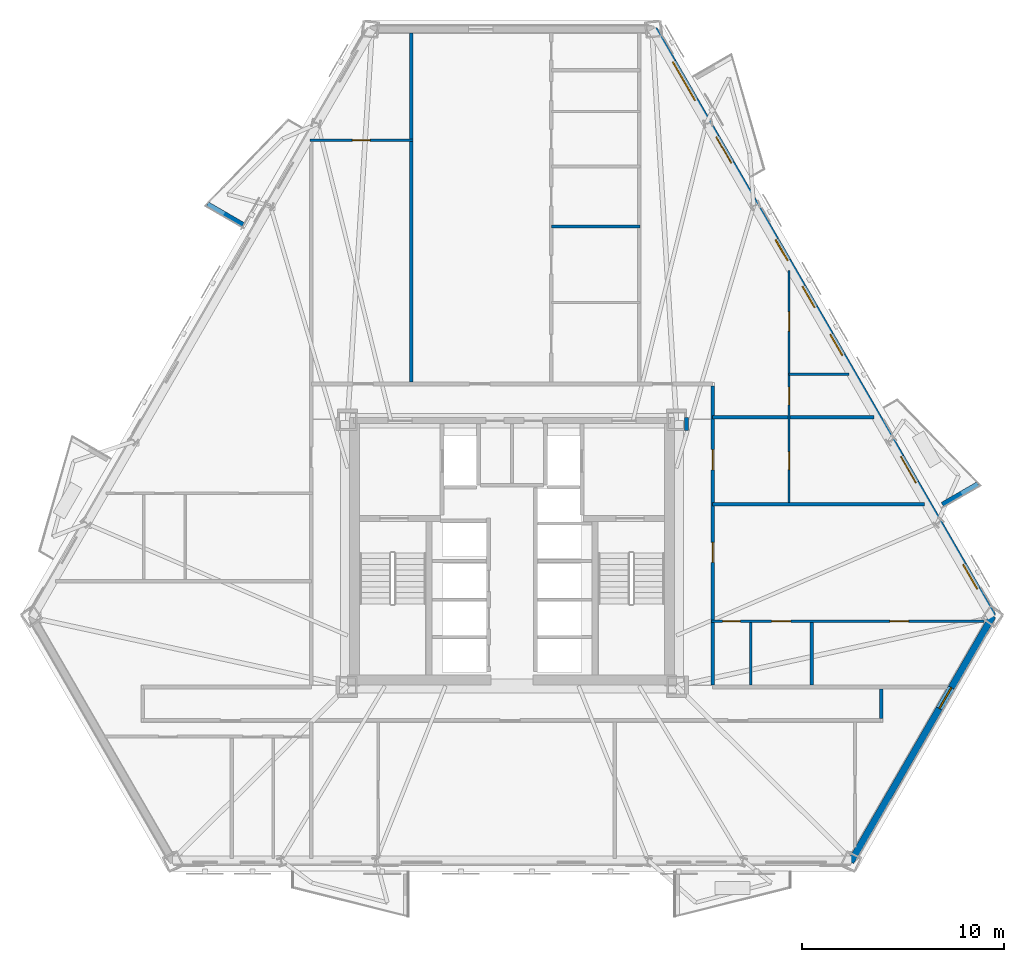
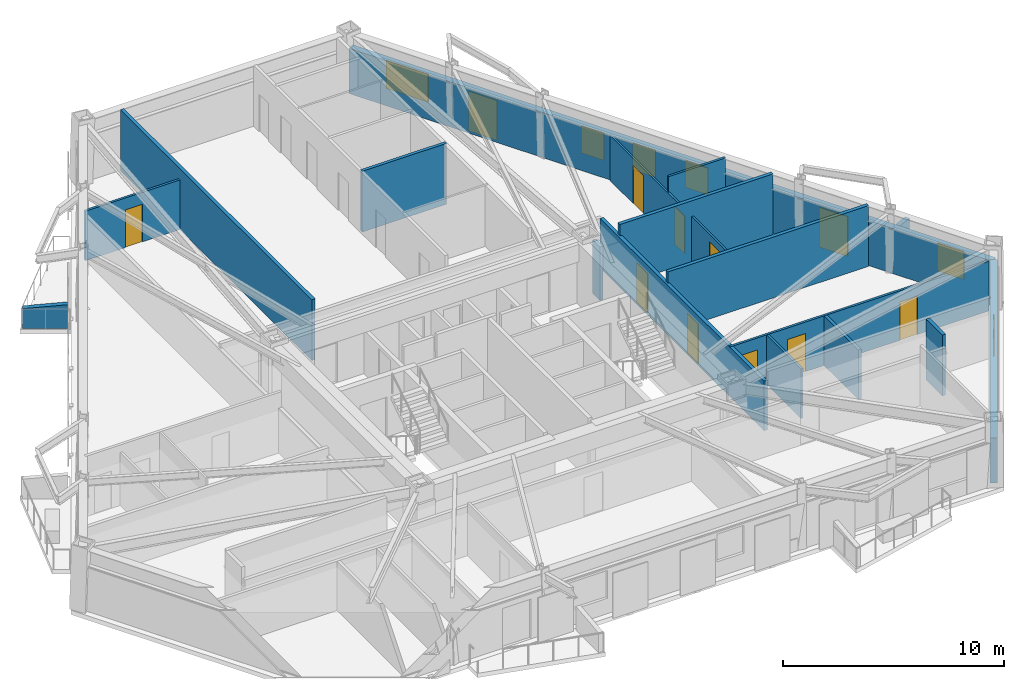
# One storey, part 5 of 10: 17 walls, 11 doors, 6 windows, 17 openings.
"""IFC4 building model written with IfcOpenShell, lengths in metres."""

from ifc_helpers import new_model, si_unit, direction, frame, frame_2d, origin, place, context, subcontext, project, spatial, polyline, rectangle, outline, extrude, material, layer, layer_set, type_object, element, fill, save


model = new_model("IFC4")

# Units and contexts
model_context = context("Model", 3, precision=1e-05, world=origin(), true_north=direction((0.0, 1.0)))
body_context = subcontext(model_context, "Body", "Model", "MODEL_VIEW")
ifc_project = project(units=[si_unit("LENGTHUNIT", "METRE"), si_unit("AREAUNIT", "SQUARE_METRE"), si_unit("VOLUMEUNIT", "CUBIC_METRE"), si_unit("PLANEANGLEUNIT", "RADIAN"), si_unit("MASSUNIT", "GRAM", prefix="KILO")], contexts=[model_context])

# Site, building, storey
site_placement = place(None, origin())
site = spatial("IfcSite", under=ifc_project, at=site_placement, CompositionType="ELEMENT")
building_placement = place(site_placement, origin())
building = spatial("IfcBuilding", under=site, at=building_placement, Name="Oramaril Tower", CompositionType="ELEMENT")
storey_placement = place(building_placement, frame((0.0, 0.0, 59.699951171875)))
storey = spatial("IfcBuildingStorey", under=building, at=storey_placement, Name="L15", CompositionType="ELEMENT", Elevation=59.699951171875)

# Wall, opening, window
ifc_material_1 = material(Name="Warm Cream Limestone", Category="masonry")
ifc_layer_1 = layer(ifc_material_1, 0.340087890625)
ifc_layer_set_1 = layer_set([ifc_layer_1], Name="WT-EXT34")
wall_type_1 = type_object("IfcWallType", Name="WT-EXT34", PredefinedType="SOLIDWALL", material=ifc_layer_set_1)
wall_1_placement = place(storey_placement, frame((54.29248046875, 2.273681640625, 0.0), z_axis=(0.0, 0.0, 1.0), x_axis=(0.499996557917, 0.866027391063, 0.0)))
wall_1 = element("IfcWall", 1, at=wall_1_placement, inside=storey, type_object=wall_type_1, Name="L15 Tower Limestone Facade Wall 3M", PredefinedType="SOLIDWALL", context=body_context, shape_type="SweptSolid", body=[
    extrude(rectangle(XDim=14.08349609375, YDim=0.340087890625, at=frame_2d((7.041748046875, 0.0))), origin(), (0.0, 0.0, 1.0), 2.494140625),
])
opening_1_placement = place(wall_1_placement, frame((8.787109375, 0.0, 0.85009765625)))
opening_1 = element("IfcOpeningElement", 2, at=opening_1_placement, cuts=wall_1, Name="Opening WN-09", PredefinedType="OPENING", context=body_context, shape_type="SweptSolid", body=[
    extrude(rectangle(XDim=1.199951171875, YDim=1.47998046875, at=frame_2d((0.60009765625, 0.739990234375))), frame((0.0, 0.169921875, 0.0), z_axis=(0.0, -1.0, 0.0), x_axis=(1.0, 0.0, 0.0)), (0.0, 0.0, 1.0), 0.340087890625),
])
ifc_material_2 = material(Name="Coastal Low-E Insulated Glass", Category="glass")
window_type_1 = type_object("IfcWindowType", Name="WNT-09", PartitioningType="SINGLE_PANEL", PredefinedType="WINDOW", material=ifc_material_2)
window_1_placement = place(opening_1_placement, origin())
window_1 = element("IfcWindow", 3, at=window_1_placement, inside=storey, type_object=window_type_1, Name="L15 Apartment Bedroom Window WN-09", OverallHeight=1.47998046875, OverallWidth=1.199951171875, PartitioningType="SINGLE_PANEL", PredefinedType="WINDOW", context=body_context, shape_type="SweptSolid", body=[
    extrude(rectangle(XDim=1.199951171875, YDim=1.47998046875, at=frame_2d((0.60009765625, 0.739990234375))), frame((0.0, 0.030029296875, 0.0), z_axis=(0.0, -1.0, 0.0), x_axis=(1.0, 0.0, 0.0)), (0.0, 0.0, 1.0), 0.06005859375),
])
fill(opening_1, window_1)

# Wall, openings, doors, windows
wall_2_placement = place(storey_placement, frame((61.334228515625, 14.470458984375, 0.0), z_axis=(0.0, 0.0, 1.0), x_axis=(-0.499999743921, 0.866025551632, 0.0)))
wall_2 = element("IfcWall", 4, at=wall_2_placement, inside=storey, type_object=wall_type_1, Name="L15 Tower Limestone Facade Wall 4M", PredefinedType="SOLIDWALL", context=body_context, shape_type="SweptSolid", body=[
    extrude(rectangle(XDim=33.5849609375, YDim=0.340087890625, at=frame_2d((16.79248046875, 0.0))), origin(), (0.0, 0.0, 1.0), 2.494140625),
])
opening_2_placement = place(wall_2_placement, frame((7.614501953125, 0.0, 0.0)))
opening_2 = element("IfcOpeningElement", 5, at=opening_2_placement, cuts=wall_2, Name="Opening D-L15-BAL-NE1", PredefinedType="OPENING", context=body_context, shape_type="SweptSolid", body=[
    extrude(rectangle(XDim=1.5, YDim=2.199951171875, at=frame_2d((0.75, 1.10009765625))), frame((0.0, 0.169921875, 0.0), z_axis=(0.0, -1.0, 0.0), x_axis=(1.0, 0.0, 0.0)), (0.0, 0.0, 1.0), 0.340087890625),
])
opening_3_placement = place(wall_2_placement, frame((25.925537109375, 0.0, 0.0)))
opening_3 = element("IfcOpeningElement", 6, at=opening_3_placement, cuts=wall_2, Name="Opening D-L15-BAL-NE2", PredefinedType="OPENING", context=body_context, shape_type="SweptSolid", body=[
    extrude(rectangle(XDim=1.5, YDim=2.199951171875, at=frame_2d((0.75, 1.10009765625))), frame((0.0, 0.169921875, 0.0), z_axis=(0.0, -1.0, 0.0), x_axis=(1.0, 0.0, 0.0)), (0.0, 0.0, 1.0), 0.340087890625),
])
opening_4_placement = place(wall_2_placement, frame((1.544189453125, 0.0, 0.85009765625)))
opening_4 = element("IfcOpeningElement", 7, at=opening_4_placement, cuts=wall_2, Name="Opening WN-08", PredefinedType="OPENING", context=body_context, shape_type="SweptSolid", body=[
    extrude(rectangle(XDim=1.39990234375, YDim=1.533935546875, at=frame_2d((0.699951171875, 0.76708984375))), frame((0.0, 0.169921875, 0.0), z_axis=(0.0, -1.0, 0.0), x_axis=(1.0, 0.0, 0.0)), (0.0, 0.0, 1.0), 0.340087890625),
])
opening_5_placement = place(wall_2_placement, frame((20.337890625, 0.0, 0.85009765625)))
opening_5 = element("IfcOpeningElement", 8, at=opening_5_placement, cuts=wall_2, Name="Opening WN-09", PredefinedType="OPENING", context=body_context, shape_type="SweptSolid", body=[
    extrude(rectangle(XDim=1.199951171875, YDim=1.47998046875, at=frame_2d((0.60009765625, 0.739990234375))), frame((0.0, 0.169921875, 0.0), z_axis=(0.0, -1.0, 0.0), x_axis=(1.0, 0.0, 0.0)), (0.0, 0.0, 1.0), 0.340087890625),
])
opening_6_placement = place(wall_2_placement, frame((29.518798828125, 0.0, 0.85009765625)))
opening_6 = element("IfcOpeningElement", 9, at=opening_6_placement, cuts=wall_2, Name="Opening WN-04", PredefinedType="OPENING", context=body_context, shape_type="SweptSolid", body=[
    extrude(rectangle(XDim=2.199951171875, YDim=1.533935546875, at=frame_2d((1.10009765625, 0.76708984375))), frame((0.0, 0.169921875, 0.0), z_axis=(0.0, -1.0, 0.0), x_axis=(1.0, 0.0, 0.0)), (0.0, 0.0, 1.0), 0.340087890625),
])
opening_7_placement = place(wall_2_placement, frame((14.912109375, 0.0, 0.85009765625)))
opening_7 = element("IfcOpeningElement", 10, at=opening_7_placement, cuts=wall_2, Name="Opening WN-09", PredefinedType="OPENING", context=body_context, shape_type="SweptSolid", body=[
    extrude(rectangle(XDim=1.199951171875, YDim=1.47998046875, at=frame_2d((0.60009765625, 0.739990234375))), frame((0.0, 0.169921875, 0.0), z_axis=(0.0, -1.0, 0.0), x_axis=(1.0, 0.0, 0.0)), (0.0, 0.0, 1.0), 0.340087890625),
])
opening_8_placement = place(wall_2_placement, frame((17.663818359375, 0.0, 0.85009765625)))
opening_8 = element("IfcOpeningElement", 11, at=opening_8_placement, cuts=wall_2, Name="Opening WN-09", PredefinedType="OPENING", context=body_context, shape_type="SweptSolid", body=[
    extrude(rectangle(XDim=1.199951171875, YDim=1.47998046875, at=frame_2d((0.60009765625, 0.739990234375))), frame((0.0, 0.169921875, 0.0), z_axis=(0.0, -1.0, 0.0), x_axis=(1.0, 0.0, 0.0)), (0.0, 0.0, 1.0), 0.340087890625),
])
ifc_material_3 = material(Name="Anodised Aluminium 6063-T6", Category="aluminium")
door_type_1 = type_object("IfcDoorType", Name="DT-BAL", OperationType="NOTDEFINED", PredefinedType="DOOR", material=ifc_material_3)
door_1_placement = place(opening_2_placement, origin())
door_1 = element("IfcDoor", 12, at=door_1_placement, inside=storey, type_object=door_type_1, Name="L15 Balcony Glazed Door L15-BAL-NE1", OperationType="SINGLE_SWING_RIGHT", OverallHeight=2.199951171875, OverallWidth=1.5, PredefinedType="DOOR", context=body_context, shape_type="SweptSolid", body=[
    extrude(rectangle(XDim=1.5, YDim=2.199951171875, at=frame_2d((0.75, 1.10009765625))), frame((0.0, 0.02490234375, 0.0), z_axis=(0.0, -1.0, 0.0), x_axis=(1.0, 0.0, 0.0)), (0.0, 0.0, 1.0), 0.050048828125),
])
fill(opening_2, door_1)
door_2_placement = place(opening_3_placement, origin())
door_2 = element("IfcDoor", 13, at=door_2_placement, inside=storey, type_object=door_type_1, Name="L15 Balcony Glazed Door L15-BAL-NE2", OperationType="SINGLE_SWING_LEFT", OverallHeight=2.199951171875, OverallWidth=1.5, PredefinedType="DOOR", context=body_context, shape_type="SweptSolid", body=[
    extrude(rectangle(XDim=1.5, YDim=2.199951171875, at=frame_2d((0.75, 1.10009765625))), frame((0.0, 0.02490234375, 0.0), z_axis=(0.0, -1.0, 0.0), x_axis=(1.0, 0.0, 0.0)), (0.0, 0.0, 1.0), 0.050048828125),
])
fill(opening_3, door_2)
ifc_material_4 = material(Name="Coastal Low-E Insulated Glass", Category="glass")
window_type_2 = type_object("IfcWindowType", Name="WNT-04", PartitioningType="SINGLE_PANEL", PredefinedType="WINDOW", material=ifc_material_4)
window_2_placement = place(opening_6_placement, origin())
window_2 = element("IfcWindow", 14, at=window_2_placement, inside=storey, type_object=window_type_2, Name="L15 Chicago Bay Window WN-04", OverallHeight=1.533935546875, OverallWidth=2.199951171875, PartitioningType="SINGLE_PANEL", PredefinedType="WINDOW", context=body_context, shape_type="SweptSolid", body=[
    extrude(rectangle(XDim=2.199951171875, YDim=1.533935546875, at=frame_2d((1.10009765625, 0.76708984375))), frame((0.0, 0.030029296875, 0.0), z_axis=(0.0, -1.0, 0.0), x_axis=(1.0, 0.0, 0.0)), (0.0, 0.0, 1.0), 0.06005859375),
])
fill(opening_6, window_2)
ifc_material_5 = material(Name="Coastal Low-E Insulated Glass", Category="glass")
window_type_3 = type_object("IfcWindowType", Name="WNT-08", PartitioningType="SINGLE_PANEL", PredefinedType="WINDOW", material=ifc_material_5)
window_3_placement = place(opening_4_placement, origin())
window_3 = element("IfcWindow", 15, at=window_3_placement, inside=storey, type_object=window_type_3, Name="L15 Chicago Bay Window WN-08", OverallHeight=1.533935546875, OverallWidth=1.39990234375, PartitioningType="SINGLE_PANEL", PredefinedType="WINDOW", context=body_context, shape_type="SweptSolid", body=[
    extrude(rectangle(XDim=1.39990234375, YDim=1.533935546875, at=frame_2d((0.699951171875, 0.76708984375))), frame((0.0, 0.030029296875, 0.0), z_axis=(0.0, -1.0, 0.0), x_axis=(1.0, 0.0, 0.0)), (0.0, 0.0, 1.0), 0.06005859375),
])
fill(opening_4, window_3)
window_4_placement = place(opening_5_placement, origin())
window_4 = element("IfcWindow", 16, at=window_4_placement, inside=storey, type_object=window_type_1, Name="L15 Chicago Bay Window WN-09", OverallHeight=1.47998046875, OverallWidth=1.199951171875, PartitioningType="SINGLE_PANEL", PredefinedType="WINDOW", context=body_context, shape_type="SweptSolid", body=[
    extrude(rectangle(XDim=1.199951171875, YDim=1.47998046875, at=frame_2d((0.60009765625, 0.739990234375))), frame((0.0, 0.030029296875, 0.0), z_axis=(0.0, -1.0, 0.0), x_axis=(1.0, 0.0, 0.0)), (0.0, 0.0, 1.0), 0.06005859375),
])
fill(opening_5, window_4)
window_5_placement = place(opening_7_placement, origin())
window_5 = element("IfcWindow", 17, at=window_5_placement, inside=storey, type_object=window_type_1, Name="L15 Chicago Bay Window WN-09", OverallHeight=1.47998046875, OverallWidth=1.199951171875, PartitioningType="SINGLE_PANEL", PredefinedType="WINDOW", context=body_context, shape_type="SweptSolid", body=[
    extrude(rectangle(XDim=1.199951171875, YDim=1.47998046875, at=frame_2d((0.60009765625, 0.739990234375))), frame((0.0, 0.030029296875, 0.0), z_axis=(0.0, -1.0, 0.0), x_axis=(1.0, 0.0, 0.0)), (0.0, 0.0, 1.0), 0.06005859375),
])
fill(opening_7, window_5)
window_6_placement = place(opening_8_placement, origin())
window_6 = element("IfcWindow", 18, at=window_6_placement, inside=storey, type_object=window_type_1, Name="L15 Chicago Bay Window WN-09", OverallHeight=1.47998046875, OverallWidth=1.199951171875, PartitioningType="SINGLE_PANEL", PredefinedType="WINDOW", context=body_context, shape_type="SweptSolid", body=[
    extrude(rectangle(XDim=1.199951171875, YDim=1.47998046875, at=frame_2d((0.60009765625, 0.739990234375))), frame((0.0, 0.030029296875, 0.0), z_axis=(0.0, -1.0, 0.0), x_axis=(1.0, 0.0, 0.0)), (0.0, 0.0, 1.0), 0.06005859375),
])
fill(opening_8, window_6)

# Walls
ifc_material_6 = material(Name="Concrete C40/50", Category="concrete")
ifc_layer_2 = layer(ifc_material_6, 0.22998046875)
ifc_layer_set_2 = layer_set([ifc_layer_2], Name="WT-PRP23")
wall_type_2 = type_object("IfcWallType", Name="WT-PRP23", PredefinedType="PARAPET", material=ifc_layer_set_2)
for number, where, z_axis, x_axis, name in (
    (19, (58.83251953125, 19.999755859375, 0.0), (0.0, 0.0, 1.0), (0.866012356593, 0.500022597718, 0.0), "L15 Trapezoidal Balcony Frame Cheek L15-BAL-NE1-L"),
    (20, (24.175537109375, 33.8701171875, 0.0), (0.0, 0.0, 1.0), (-0.866012356593, 0.500022597718, 0.0), "L15 Trapezoidal Balcony Frame Cheek L15-BAL-NW1-R"),
):
    element("IfcWall", number, at=place(storey_placement, frame(where, z_axis=z_axis, x_axis=x_axis)), inside=storey, type_object=wall_type_2, Name=name, PredefinedType="PARAPET", context=body_context, shape_type="SweptSolid", body=[
        extrude(outline(polyline([(0.0, 0.0), (2.0419921875, 0.0), (2.0419921875, 1.10009765625), (0.0, 1.320068359375), (0.0, 0.0)])), frame((0.0, 0.114990234375, 0.0), z_axis=(0.0, -1.0, 0.0), x_axis=(1.0, 0.0, 0.0)), (0.0, 0.0, 1.0), 0.22998046875),
    ])

# Wall, openings, doors
ifc_material_7 = material(Name="Acoustic Gypsum Board Partition")
ifc_layer_3 = layer(ifc_material_7, 0.10009765625)
ifc_layer_set_3 = layer_set([ifc_layer_3], Name="WT-PT10")
wall_type_3 = type_object("IfcWallType", Name="WT-PT10", PredefinedType="PARTITIONING", material=ifc_layer_set_3)
wall_3_placement = place(storey_placement, frame((51.239990234375, 20.093994140625, 0.0), z_axis=(0.0, 0.0, 1.0), x_axis=(0.0, 1.0, 0.0)))
wall_3 = element("IfcWall", 21, at=wall_3_placement, inside=storey, type_object=wall_type_3, Name="L15 Interior Partition PT-10", PredefinedType="PARTITIONING", context=body_context, shape_type="SweptSolid", body=[
    extrude(rectangle(XDim=11.51220703125, YDim=0.10009765625, at=frame_2d((5.756103515625, 0.0))), origin(), (0.0, 0.0, 1.0), 2.494140625),
])
opening_9_placement = place(wall_3_placement, frame((4.841064453125, 0.0, 0.0)))
opening_9 = element("IfcOpeningElement", 22, at=opening_9_placement, cuts=wall_3, Name="Opening D-L15-27", PredefinedType="OPENING", context=body_context, shape_type="SweptSolid", body=[
    extrude(rectangle(XDim=0.8798828125, YDim=2.080078125, at=frame_2d((0.43994140625, 1.0400390625))), frame((0.0, 0.050048828125, 0.0), z_axis=(0.0, -1.0, 0.0), x_axis=(1.0, 0.0, 0.0)), (0.0, 0.0, 1.0), 0.10009765625),
])
opening_10_placement = place(wall_3_placement, frame((8.499267578125, 0.0, 0.0)))
opening_10 = element("IfcOpeningElement", 23, at=opening_10_placement, cuts=wall_3, Name="Opening D-L15-28", PredefinedType="OPENING", context=body_context, shape_type="SweptSolid", body=[
    extrude(rectangle(XDim=0.949951171875, YDim=2.10009765625, at=frame_2d((0.47509765625, 1.050048828125))), frame((0.0, 0.050048828125, 0.0), z_axis=(0.0, -1.0, 0.0), x_axis=(1.0, 0.0, 0.0)), (0.0, 0.0, 1.0), 0.10009765625),
])
opening_11_placement = place(wall_3_placement, frame((1.6259765625, 0.0, 0.0)))
opening_11 = element("IfcOpeningElement", 24, at=opening_11_placement, cuts=wall_3, Name="Opening D-L15-29", PredefinedType="OPENING", context=body_context, shape_type="SweptSolid", body=[
    extrude(rectangle(XDim=0.8798828125, YDim=2.080078125, at=frame_2d((0.43994140625, 1.0400390625))), frame((0.0, 0.050048828125, 0.0), z_axis=(0.0, -1.0, 0.0), x_axis=(1.0, 0.0, 0.0)), (0.0, 0.0, 1.0), 0.10009765625),
])
ifc_material_8 = material(Name="FSC Brazilian Freijo Hardwood", Category="wood")
door_type_2 = type_object("IfcDoorType", Name="DT-BATH", OperationType="NOTDEFINED", PredefinedType="DOOR", material=ifc_material_8)
door_3_placement = place(opening_9_placement, origin())
door_3 = element("IfcDoor", 25, at=door_3_placement, inside=storey, type_object=door_type_2, Name="L15 Flat L15-U9 Bathroom Door D-L15-27", OperationType="SINGLE_SWING_RIGHT", OverallHeight=2.080078125, OverallWidth=0.8798828125, PredefinedType="DOOR", context=body_context, shape_type="SweptSolid", body=[
    extrude(rectangle(XDim=0.8798828125, YDim=2.080078125, at=frame_2d((0.43994140625, 1.0400390625))), frame((0.0, 0.02490234375, 0.0), z_axis=(0.0, -1.0, 0.0), x_axis=(1.0, 0.0, 0.0)), (0.0, 0.0, 1.0), 0.050048828125),
])
fill(opening_9, door_3)
door_4_placement = place(opening_11_placement, origin())
door_4 = element("IfcDoor", 26, at=door_4_placement, inside=storey, type_object=door_type_2, Name="L15 Flat L15-U6 Bathroom Door D-L15-29", OperationType="SINGLE_SWING_RIGHT", OverallHeight=2.080078125, OverallWidth=0.8798828125, PredefinedType="DOOR", context=body_context, shape_type="SweptSolid", body=[
    extrude(rectangle(XDim=0.8798828125, YDim=2.080078125, at=frame_2d((0.43994140625, 1.0400390625))), frame((0.0, 0.02490234375, 0.0), z_axis=(0.0, -1.0, 0.0), x_axis=(1.0, 0.0, 0.0)), (0.0, 0.0, 1.0), 0.050048828125),
])
fill(opening_11, door_4)
ifc_material_9 = material(Name="FSC Brazilian Freijo Hardwood", Category="wood")
door_type_3 = type_object("IfcDoorType", Name="DT-STDY", OperationType="NOTDEFINED", PredefinedType="DOOR", material=ifc_material_9)
door_5_placement = place(opening_10_placement, origin())
door_5 = element("IfcDoor", 27, at=door_5_placement, inside=storey, type_object=door_type_3, Name="L15 Flat L15-U9 Kitchen Door D-L15-28", OperationType="SINGLE_SWING_LEFT", OverallHeight=2.10009765625, OverallWidth=0.949951171875, PredefinedType="DOOR", context=body_context, shape_type="SweptSolid", body=[
    extrude(rectangle(XDim=0.949951171875, YDim=2.10009765625, at=frame_2d((0.47509765625, 1.050048828125))), frame((0.0, 0.02490234375, 0.0), z_axis=(0.0, -1.0, 0.0), x_axis=(1.0, 0.0, 0.0)), (0.0, 0.0, 1.0), 0.050048828125),
])
fill(opening_10, door_5)

ifc_material_10 = material(Name="Acoustic Gypsum Board Partition")
ifc_layer_4 = layer(ifc_material_10, 0.1201171875)
ifc_layer_set_4 = layer_set([ifc_layer_4], Name="WT-PT12")
wall_type_4 = type_object("IfcWallType", Name="WT-PT12", PredefinedType="PARTITIONING", material=ifc_layer_set_4)
wall_4_placement = place(storey_placement, frame((47.39990234375, 14.2099609375, 0.0), z_axis=(0.0, 0.0, 1.0), x_axis=(1.0, 0.0, 0.0)))
wall_4 = element("IfcWall", 28, at=wall_4_placement, inside=storey, type_object=wall_type_4, Name="L15 Interior Partition PT-12", PredefinedType="PARTITIONING", context=body_context, shape_type="SweptSolid", body=[
    extrude(rectangle(XDim=13.48876953125, YDim=0.1201171875, at=frame_2d((6.744384765625, 0.0))), origin(), (0.0, 0.0, 1.0), 2.738037109375),
])
opening_12_placement = place(wall_4_placement, frame((0.5400390625, 0.0, 0.0)))
opening_12 = element("IfcOpeningElement", 29, at=opening_12_placement, cuts=wall_4, Name="Opening D-L15-07", PredefinedType="OPENING", context=body_context, shape_type="SweptSolid", body=[
    extrude(rectangle(XDim=0.8798828125, YDim=2.080078125, at=frame_2d((0.43994140625, 1.0400390625))), frame((0.0, 0.06005859375, 0.0), z_axis=(0.0, -1.0, 0.0), x_axis=(1.0, 0.0, 0.0)), (0.0, 0.0, 1.0), 0.1201171875),
])
opening_13_placement = place(wall_4_placement, frame((2.97412109375, 0.0, 0.0)))
opening_13 = element("IfcOpeningElement", 30, at=opening_13_placement, cuts=wall_4, Name="Opening D-L15-08", PredefinedType="OPENING", context=body_context, shape_type="SweptSolid", body=[
    extrude(rectangle(XDim=0.949951171875, YDim=2.10009765625, at=frame_2d((0.47509765625, 1.050048828125))), frame((0.0, 0.06005859375, 0.0), z_axis=(0.0, -1.0, 0.0), x_axis=(1.0, 0.0, 0.0)), (0.0, 0.0, 1.0), 0.1201171875),
])
opening_14_placement = place(wall_4_placement, frame((8.838623046875, 0.0, 0.0)))
opening_14 = element("IfcOpeningElement", 31, at=opening_14_placement, cuts=wall_4, Name="Opening D-L15-09", PredefinedType="OPENING", context=body_context, shape_type="SweptSolid", body=[
    extrude(rectangle(XDim=0.919921875, YDim=2.1201171875, at=frame_2d((0.4599609375, 1.06005859375))), frame((0.0, 0.06005859375, 0.0), z_axis=(0.0, -1.0, 0.0), x_axis=(1.0, 0.0, 0.0)), (0.0, 0.0, 1.0), 0.1201171875),
])
door_6_placement = place(opening_12_placement, origin())
door_6 = element("IfcDoor", 32, at=door_6_placement, inside=storey, type_object=door_type_2, Name="L15 Flat L15-U5 Bathroom Door D-L15-07", OperationType="SINGLE_SWING_RIGHT", OverallHeight=2.080078125, OverallWidth=0.8798828125, PredefinedType="DOOR", context=body_context, shape_type="SweptSolid", body=[
    extrude(rectangle(XDim=0.8798828125, YDim=2.080078125, at=frame_2d((0.43994140625, 1.0400390625))), frame((0.0, 0.02490234375, 0.0), z_axis=(0.0, -1.0, 0.0), x_axis=(1.0, 0.0, 0.0)), (0.0, 0.0, 1.0), 0.050048828125),
])
fill(opening_12, door_6)
ifc_material_11 = material(Name="FSC Brazilian Freijo Hardwood", Category="wood")
door_type_4 = type_object("IfcDoorType", Name="DT-BED", OperationType="NOTDEFINED", PredefinedType="DOOR", material=ifc_material_11)
door_7_placement = place(opening_14_placement, origin())
door_7 = element("IfcDoor", 33, at=door_7_placement, inside=storey, type_object=door_type_4, Name="L15 Flat L15-U5 Master Bedroom Door D-L15-09", OperationType="SINGLE_SWING_RIGHT", OverallHeight=2.1201171875, OverallWidth=0.919921875, PredefinedType="DOOR", context=body_context, shape_type="SweptSolid", body=[
    extrude(rectangle(XDim=0.919921875, YDim=2.1201171875, at=frame_2d((0.4599609375, 1.06005859375))), frame((0.0, 0.02490234375, 0.0), z_axis=(0.0, -1.0, 0.0), x_axis=(1.0, 0.0, 0.0)), (0.0, 0.0, 1.0), 0.050048828125),
])
fill(opening_14, door_7)
door_8_placement = place(opening_13_placement, origin())
door_8 = element("IfcDoor", 34, at=door_8_placement, inside=storey, type_object=door_type_3, Name="L15 Flat L15-U5 Kitchen Door D-L15-08", OperationType="SINGLE_SWING_LEFT", OverallHeight=2.10009765625, OverallWidth=0.949951171875, PredefinedType="DOOR", context=body_context, shape_type="SweptSolid", body=[
    extrude(rectangle(XDim=0.949951171875, YDim=2.10009765625, at=frame_2d((0.47509765625, 1.050048828125))), frame((0.0, 0.02490234375, 0.0), z_axis=(0.0, -1.0, 0.0), x_axis=(1.0, 0.0, 0.0)), (0.0, 0.0, 1.0), 0.050048828125),
])
fill(opening_13, door_8)

# Wall
wall_5_placement = place(storey_placement, frame((51.244384765625, 26.4599609375, 0.0), z_axis=(0.0, 0.0, 1.0), x_axis=(1.0, 0.0, 0.0)))
element("IfcWall", 35, at=wall_5_placement, inside=storey, type_object=wall_type_4, Name="L15 Interior Partition PT-12", PredefinedType="PARTITIONING", context=body_context, shape_type="SweptSolid", body=[
    extrude(rectangle(XDim=2.966796875, YDim=0.1201171875, at=frame_2d((1.4833984375, 0.0))), origin(), (0.0, 0.0, 1.0), 3.360107421875),
])

# Wall, opening, door
wall_6_placement = place(storey_placement, frame((27.486083984375, 38.06005859375, 0.0), z_axis=(0.0, 0.0, 1.0), x_axis=(1.0, 0.0, 0.0)))
wall_6 = element("IfcWall", 36, at=wall_6_placement, inside=storey, type_object=wall_type_4, Name="L15 Interior Partition PT-12", PredefinedType="PARTITIONING", context=body_context, shape_type="SweptSolid", body=[
    extrude(rectangle(XDim=5.095947265625, YDim=0.1201171875, at=frame_2d((2.5478515625, 0.0))), origin(), (0.0, 0.0, 1.0), 2.738037109375),
])
opening_15_placement = place(wall_6_placement, frame((2.098876953125, 0.0, 0.0)))
opening_15 = element("IfcOpeningElement", 37, at=opening_15_placement, cuts=wall_6, Name="Opening D-L15-16", PredefinedType="OPENING", context=body_context, shape_type="SweptSolid", body=[
    extrude(rectangle(XDim=0.8798828125, YDim=2.080078125, at=frame_2d((0.43994140625, 1.0400390625))), frame((0.0, 0.06005859375, 0.0), z_axis=(0.0, -1.0, 0.0), x_axis=(1.0, 0.0, 0.0)), (0.0, 0.0, 1.0), 0.1201171875),
])
door_9_placement = place(opening_15_placement, origin())
door_9 = element("IfcDoor", 38, at=door_9_placement, inside=storey, type_object=door_type_2, Name="L15 Flat L15-U7 Bathroom Door D-L15-16", OperationType="SINGLE_SWING_LEFT", OverallHeight=2.080078125, OverallWidth=0.8798828125, PredefinedType="DOOR", context=body_context, shape_type="SweptSolid", body=[
    extrude(rectangle(XDim=0.8798828125, YDim=2.080078125, at=frame_2d((0.43994140625, 1.0400390625))), frame((0.0, 0.02490234375, 0.0), z_axis=(0.0, -1.0, 0.0), x_axis=(1.0, 0.0, 0.0)), (0.0, 0.0, 1.0), 0.050048828125),
])
fill(opening_15, door_9)

# Walls
wall_7_placement = place(storey_placement, frame((49.340087890625, 11.0439453125, 0.0), z_axis=(0.0, 0.0, 1.0), x_axis=(0.0, 1.0, 0.0)))
element("IfcWall", 39, at=wall_7_placement, inside=storey, type_object=wall_type_4, Name="L15 Interior Partition PT-12", PredefinedType="PARTITIONING", context=body_context, shape_type="SweptSolid", body=[
    extrude(rectangle(XDim=3.10205078125, YDim=0.1201171875, at=frame_2d((1.551025390625, 0.0))), origin(), (0.0, 0.0, 1.0), 2.738037109375),
])
ifc_material_12 = material(Name="Acoustic Gypsum Board Partition")
ifc_layer_5 = layer(ifc_material_12, 0.159912109375)
ifc_layer_set_5 = layer_set([ifc_layer_5], Name="WT-PT16")
wall_type_5 = type_object("IfcWallType", Name="WT-PT16", PredefinedType="PARTITIONING", material=ifc_layer_set_5)
wall_8_placement = place(storey_placement, frame((39.449951171875, 33.780029296875, 0.0), z_axis=(0.0, 0.0, 1.0), x_axis=(1.0, 0.0, 0.0)))
element("IfcWall", 40, at=wall_8_placement, inside=storey, type_object=wall_type_5, Name="L15 Interior Partition PT-16", PredefinedType="PARTITIONING", context=body_context, shape_type="SweptSolid", body=[
    extrude(rectangle(XDim=4.400146484375, YDim=0.159912109375, at=frame_2d((2.2001953125, 0.0))), origin(), (0.0, 0.0, 1.0), 3.360107421875),
])
wall_9_placement = place(storey_placement, frame((52.360107421875, 11.0439453125, 0.0), z_axis=(0.0, 0.0, 1.0), x_axis=(0.0, 1.0, 0.0)))
element("IfcWall", 41, at=wall_9_placement, inside=storey, type_object=wall_type_5, Name="L15 Interior Partition PT-16", PredefinedType="PARTITIONING", context=body_context, shape_type="SweptSolid", body=[
    extrude(rectangle(XDim=3.10205078125, YDim=0.159912109375, at=frame_2d((1.551025390625, 0.0))), origin(), (0.0, 0.0, 1.0), 2.738037109375),
])
ifc_material_13 = material(Name="Autoclaved Cellular Concrete Block", Category="concrete")
ifc_layer_6 = layer(ifc_material_13, 0.179931640625)
ifc_layer_set_6 = layer_set([ifc_layer_6], Name="WT-PT18")
wall_type_6 = type_object("IfcWallType", Name="WT-PT18", PredefinedType="PARTITIONING", material=ifc_layer_set_6)
wall_10_placement = place(storey_placement, frame((47.449951171875, 20.0, 0.0), z_axis=(0.0, 0.0, 1.0), x_axis=(1.0, 0.0, 0.0)))
element("IfcWall", 42, at=wall_10_placement, inside=storey, type_object=wall_type_6, Name="L15 Interior Partition PT-18", PredefinedType="PARTITIONING", context=body_context, shape_type="SweptSolid", body=[
    extrude(rectangle(XDim=10.490966796875, YDim=0.179931640625, at=frame_2d((5.24560546875, 0.0))), origin(), (0.0, 0.0, 1.0), 3.360107421875),
])
wall_11_placement = place(storey_placement, frame((47.449951171875, 24.320068359375, 0.0), z_axis=(0.0, 0.0, 1.0), x_axis=(1.0, 0.0, 0.0)))
element("IfcWall", 43, at=wall_11_placement, inside=storey, type_object=wall_type_6, Name="L15 Interior Partition PT-18", PredefinedType="PARTITIONING", context=body_context, shape_type="SweptSolid", body=[
    extrude(rectangle(XDim=7.99658203125, YDim=0.179931640625, at=frame_2d((3.998291015625, 0.0))), origin(), (0.0, 0.0, 1.0), 3.360107421875),
])
wall_12_placement = place(storey_placement, frame((32.5, 26.06396484375, 0.0), z_axis=(0.0, 0.0, 1.0), x_axis=(0.0, 1.0, 0.0)))
element("IfcWall", 44, at=wall_12_placement, inside=storey, type_object=wall_type_6, Name="L15 Interior Partition PT-18", PredefinedType="PARTITIONING", context=body_context, shape_type="SweptSolid", body=[
    extrude(rectangle(XDim=17.31787109375, YDim=0.179931640625, at=frame_2d((8.658935546875, 0.0))), origin(), (0.0, 0.0, 1.0), 3.360107421875),
])
wall_13_placement = place(storey_placement, frame((46.14990234375, 23.655029296875, 0.0), z_axis=(0.0, 0.0, 1.0), x_axis=(0.0, 1.0, 0.0)))
element("IfcWall", 45, at=wall_13_placement, inside=storey, type_object=wall_type_6, Name="L15 Interior Partition PT-18", PredefinedType="PARTITIONING", context=body_context, shape_type="SweptSolid", body=[
    extrude(rectangle(XDim=0.6650390625, YDim=0.179931640625, at=frame_2d((0.33251953125, 0.0))), origin(), (0.0, 0.0, 1.0), 2.946044921875),
])

# Wall, openings, doors
wall_14_placement = place(storey_placement, frame((47.449951171875, 11.0439453125, 0.0), z_axis=(0.0, 0.0, 1.0), x_axis=(0.0, 1.0, 0.0)))
wall_14 = element("IfcWall", 46, at=wall_14_placement, inside=storey, type_object=wall_type_6, Name="L15 Interior Partition PT-18", PredefinedType="PARTITIONING", context=body_context, shape_type="SweptSolid", body=[
    extrude(rectangle(XDim=14.83203125, YDim=0.179931640625, at=frame_2d((7.416015625, 0.0))), origin(), (0.0, 0.0, 1.0), 2.738037109375),
])
opening_16_placement = place(wall_14_placement, frame((6.078857421875, 0.0, 0.0)))
opening_16 = element("IfcOpeningElement", 47, at=opening_16_placement, cuts=wall_14, Name="Opening D-L15-25", PredefinedType="OPENING", context=body_context, shape_type="SweptSolid", body=[
    extrude(rectangle(XDim=1.0, YDim=2.179931640625, at=frame_2d((0.5, 1.08984375))), frame((0.0, 0.08984375, 0.0), z_axis=(0.0, -1.0, 0.0), x_axis=(1.0, 0.0, 0.0)), (0.0, 0.0, 1.0), 0.179931640625),
])
opening_17_placement = place(wall_14_placement, frame((10.66845703125, 0.0, 0.0)))
opening_17 = element("IfcOpeningElement", 48, at=opening_17_placement, cuts=wall_14, Name="Opening D-L15-26", PredefinedType="OPENING", context=body_context, shape_type="SweptSolid", body=[
    extrude(rectangle(XDim=1.0, YDim=2.179931640625, at=frame_2d((0.5, 1.08984375))), frame((0.0, 0.08984375, 0.0), z_axis=(0.0, -1.0, 0.0), x_axis=(1.0, 0.0, 0.0)), (0.0, 0.0, 1.0), 0.179931640625),
])
ifc_material_14 = material(Name="FSC Brazilian Freijo Hardwood", Category="wood")
door_type_5 = type_object("IfcDoorType", Name="DT-APT", OperationType="NOTDEFINED", PredefinedType="DOOR", material=ifc_material_14)
door_10_placement = place(opening_16_placement, origin())
door_10 = element("IfcDoor", 49, at=door_10_placement, inside=storey, type_object=door_type_5, Name="L15 Flat L15-U5 Penthouse Living and Dining Room Door D-L15-25", OperationType="SINGLE_SWING_RIGHT", OverallHeight=2.179931640625, OverallWidth=1.0, PredefinedType="DOOR", context=body_context, shape_type="SweptSolid", body=[
    extrude(rectangle(XDim=1.0, YDim=2.179931640625, at=frame_2d((0.5, 1.08984375))), frame((0.0, 0.02490234375, 0.0), z_axis=(0.0, -1.0, 0.0), x_axis=(1.0, 0.0, 0.0)), (0.0, 0.0, 1.0), 0.050048828125),
])
fill(opening_16, door_10)
door_11_placement = place(opening_17_placement, origin())
door_11 = element("IfcDoor", 50, at=door_11_placement, inside=storey, type_object=door_type_5, Name="L15 Flat L15-U6 Kitchen and Studio Apartment Door D-L15-26", OperationType="SINGLE_SWING_LEFT", OverallHeight=2.179931640625, OverallWidth=1.0, PredefinedType="DOOR", context=body_context, shape_type="SweptSolid", body=[
    extrude(rectangle(XDim=1.0, YDim=2.179931640625, at=frame_2d((0.5, 1.08984375))), frame((0.0, 0.02490234375, 0.0), z_axis=(0.0, -1.0, 0.0), x_axis=(1.0, 0.0, 0.0)), (0.0, 0.0, 1.0), 0.050048828125),
])
fill(opening_17, door_11)

# Wall
wall_15_placement = place(storey_placement, frame((55.800048828125, 9.39404296875, 0.0), z_axis=(0.0, 0.0, 1.0), x_axis=(0.0, 1.0, 0.0)))
element("IfcWall", 51, at=wall_15_placement, inside=storey, type_object=wall_type_6, Name="L15 Interior Partition PT-18", PredefinedType="PARTITIONING", context=body_context, shape_type="SweptSolid", body=[
    extrude(rectangle(XDim=1.4619140625, YDim=0.179931640625, at=frame_2d((0.73095703125, 0.0))), origin(), (0.0, 0.0, 1.0), 3.360107421875),
])

save(model, "model.ifc")
